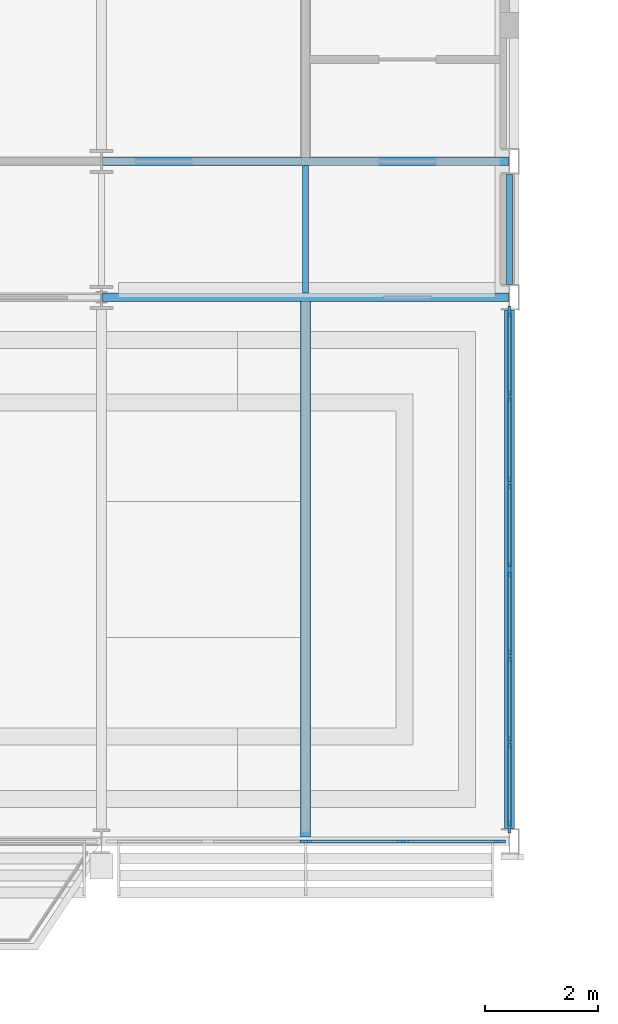
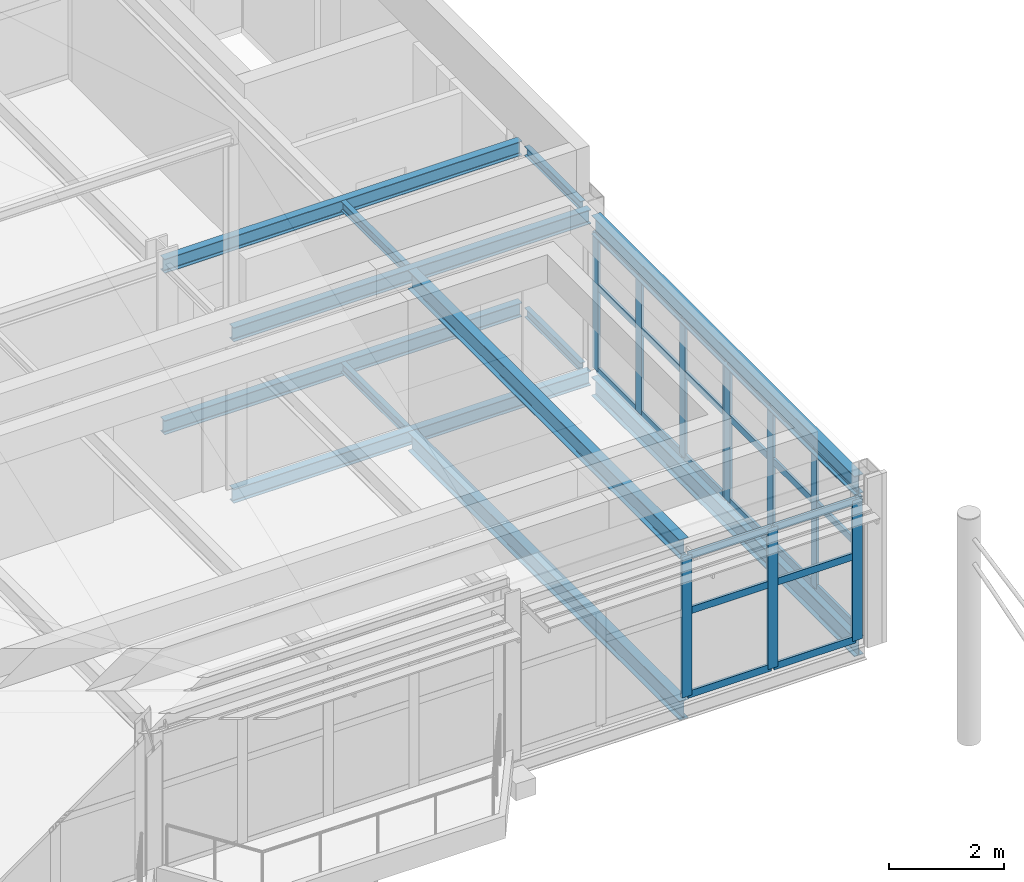
# One storey, part 35 of 68: 35 members, 12 beams, 3 elements without a shape of their own.
"""IFC4 building model written with IfcOpenShell, lengths in metres."""

from ifc_helpers import new_model, si_unit, direction, frame, origin, origin_2d, place, context, subcontext, project, spatial, rectangle, i_section, extrude, material, material_profile, profile_set, type_object, element, aggregate, save


model = new_model("IFC4")

# Units and contexts
model_context = context("Model", 3, precision=1e-05, world=origin(), true_north=direction((0.0, 1.0)))
body_context = subcontext(model_context, "Body", "Model", "MODEL_VIEW")
ifc_project = project(units=[si_unit("LENGTHUNIT", "METRE"), si_unit("AREAUNIT", "SQUARE_METRE"), si_unit("VOLUMEUNIT", "CUBIC_METRE"), si_unit("PLANEANGLEUNIT", "RADIAN"), si_unit("MASSUNIT", "GRAM", prefix="KILO")], contexts=[model_context])

# Site, building, storey
site_placement = place(None, origin())
site = spatial("IfcSite", under=ifc_project, at=site_placement, CompositionType="ELEMENT")
building_placement = place(site_placement, origin())
building = spatial("IfcBuilding", under=site, at=building_placement, Name="Kupolbacken Congress Centre", CompositionType="ELEMENT")
storey_placement = place(building_placement, frame((0.0, 0.0, 25.199951171875)))
storey = spatial("IfcBuildingStorey", under=building, at=storey_placement, Name="L07", CompositionType="ELEMENT", Elevation=25.199951171875)

# Beams
ifc_material_1 = material(Name="Steel S355", Category="steel")
ifc_material_profile_1 = material_profile(ifc_material_1, i_section(OverallWidth=0.10009765625, OverallDepth=0.199951171875, WebThickness=0.005615234375, FlangeThickness=0.008544921875, FilletRadius=0.011962890625, at=origin_2d()), Name="IPE 200")
ifc_profile_set_1 = profile_set([ifc_material_profile_1], Name="Steel S355")
beam_type_1 = type_object("IfcBeamType", Name="B01 beam IPE 200", PredefinedType="BEAM", material=ifc_profile_set_1)
beam_1_placement = place(storey_placement, frame((133.199951171875, 132.074951171875, -0.239990234375), z_axis=(0.0, 1.0, 0.0), x_axis=(-1.0, 0.0, 0.0)))
element("IfcBeam", 1, at=beam_1_placement, inside=storey, type_object=beam_type_1, Name="S/floor/T/L07/S076", PredefinedType="BEAM", context=body_context, shape_type="SweptSolid", body=[
    extrude(i_section(OverallWidth=0.10009765625, OverallDepth=0.199951171875, WebThickness=0.005615234375, FlangeThickness=0.008544921875, FilletRadius=0.011962890625, at=origin_2d()), origin(), (0.0, 0.0, 1.0), 2.25),
])
beam_2_placement = place(storey_placement, frame((136.800048828125, 132.22509765625, -0.239990234375), z_axis=(0.0, 1.0, 0.0), x_axis=(-1.0, 0.0, 0.0)))
element("IfcBeam", 2, at=beam_2_placement, inside=storey, type_object=beam_type_1, Name="S/floor/T/L07/S079", PredefinedType="BEAM", context=body_context, shape_type="SweptSolid", body=[
    extrude(i_section(OverallWidth=0.10009765625, OverallDepth=0.199951171875, WebThickness=0.005615234375, FlangeThickness=0.008544921875, FilletRadius=0.011962890625, at=origin_2d()), origin(), (0.0, 0.0, 1.0), 1.949951171875),
])
beam_3_placement = place(storey_placement, frame((133.199951171875, 132.074951171875, 3.18994140625), z_axis=(0.0, 1.0, 0.0), x_axis=(-1.0, 0.0, 0.0)))
element("IfcBeam", 3, at=beam_3_placement, inside=storey, type_object=beam_type_1, Name="S/floor/T/ROOF/S076", PredefinedType="BEAM", context=body_context, shape_type="SweptSolid", body=[
    extrude(i_section(OverallWidth=0.10009765625, OverallDepth=0.199951171875, WebThickness=0.005615234375, FlangeThickness=0.008544921875, FilletRadius=0.011962890625, at=origin_2d()), origin(), (0.0, 0.0, 1.0), 2.25),
])
beam_4_placement = place(storey_placement, frame((136.800048828125, 132.22509765625, 3.18994140625), z_axis=(0.0, 1.0, 0.0), x_axis=(-1.0, 0.0, 0.0)))
element("IfcBeam", 4, at=beam_4_placement, inside=storey, type_object=beam_type_1, Name="S/floor/T/ROOF/S079", PredefinedType="BEAM", context=body_context, shape_type="SweptSolid", body=[
    extrude(i_section(OverallWidth=0.10009765625, OverallDepth=0.199951171875, WebThickness=0.005615234375, FlangeThickness=0.008544921875, FilletRadius=0.011962890625, at=origin_2d()), origin(), (0.0, 0.0, 1.0), 1.949951171875),
])
ifc_material_2 = material(Name="Steel S355", Category="steel")
ifc_material_profile_2 = material_profile(ifc_material_2, i_section(OverallWidth=0.14990234375, OverallDepth=0.300048828125, WebThickness=0.007080078125, FlangeThickness=0.0107421875, FilletRadius=0.014892578125, at=origin_2d()), Name="IPE 300")
ifc_profile_set_2 = profile_set([ifc_material_profile_2], Name="Steel S355")
beam_type_2 = type_object("IfcBeamType", Name="B04 beam IPE 300", PredefinedType="BEAM", material=ifc_profile_set_2)
for number, where, z_axis, x_axis, name in (
    (5, (129.616455078125, 132.0, -0.2900390625), (1.0, 0.0, 0.0), (0.0, 1.0, 0.0), "S/floor/T/L07/R016"),
    (6, (129.616455078125, 134.39990234375, -0.2900390625), (1.0, 0.0, 0.0), (0.0, 1.0, 0.0), "S/floor/T/L07/R024"),
    (7, (129.616455078125, 132.0, 3.14013671875), (1.0, 0.0, 0.0), (0.0, 1.0, 0.0), "S/floor/T/ROOF/R016"),
    (8, (129.616455078125, 134.39990234375, 3.14013671875), (1.0, 0.0, 0.0), (0.0, 1.0, 0.0), "S/floor/T/ROOF/R024"),
):
    element("IfcBeam", number, at=place(storey_placement, frame(where, z_axis=z_axis, x_axis=x_axis)), inside=storey, type_object=beam_type_2, Name=name, PredefinedType="BEAM", context=body_context, shape_type="SweptSolid", body=[
        extrude(i_section(OverallWidth=0.14990234375, OverallDepth=0.300048828125, WebThickness=0.007080078125, FlangeThickness=0.0107421875, FilletRadius=0.014892578125, at=origin_2d()), origin(), (0.0, 0.0, 1.0), 7.176513671875),
    ])
ifc_material_3 = material(Name="Steel S355", Category="steel")
ifc_material_profile_3 = material_profile(ifc_material_3, i_section(OverallWidth=0.179931640625, OverallDepth=0.39990234375, WebThickness=0.008544921875, FlangeThickness=0.013427734375, FilletRadius=0.02099609375, at=origin_2d()), Name="IPE 400")
ifc_profile_set_3 = profile_set([ifc_material_profile_3], Name="Steel S355")
beam_type_3 = type_object("IfcBeamType", Name="B07 beam IPE 400", PredefinedType="BEAM", material=ifc_profile_set_3)
beam_5_placement = place(storey_placement, frame((133.199951171875, 122.47509765625, -0.33984375), z_axis=(0.0, 1.0, 0.0), x_axis=(-1.0, 0.0, 0.0)))
element("IfcBeam", 9, at=beam_5_placement, inside=storey, type_object=beam_type_3, Name="S/floor/T/L07/S075", PredefinedType="BEAM", context=body_context, shape_type="SweptSolid", body=[
    extrude(i_section(OverallWidth=0.179931640625, OverallDepth=0.39990234375, WebThickness=0.008544921875, FlangeThickness=0.013427734375, FilletRadius=0.02099609375, at=origin_2d()), origin(), (0.0, 0.0, 1.0), 9.449951171875),
])
beam_6_placement = place(storey_placement, frame((136.800048828125, 122.625, -0.33984375), z_axis=(0.0, 1.0, 0.0), x_axis=(-1.0, 0.0, 0.0)))
element("IfcBeam", 10, at=beam_6_placement, inside=storey, type_object=beam_type_3, Name="S/floor/T/L07/S078", PredefinedType="BEAM", context=body_context, shape_type="SweptSolid", body=[
    extrude(i_section(OverallWidth=0.179931640625, OverallDepth=0.39990234375, WebThickness=0.008544921875, FlangeThickness=0.013427734375, FilletRadius=0.02099609375, at=origin_2d()), origin(), (0.0, 0.0, 1.0), 9.14990234375),
])
beam_7_placement = place(storey_placement, frame((133.199951171875, 122.47509765625, 3.090087890625), z_axis=(0.0, 1.0, 0.0), x_axis=(-1.0, 0.0, 0.0)))
element("IfcBeam", 11, at=beam_7_placement, inside=storey, type_object=beam_type_3, Name="S/floor/T/ROOF/S075", PredefinedType="BEAM", context=body_context, shape_type="SweptSolid", body=[
    extrude(i_section(OverallWidth=0.179931640625, OverallDepth=0.39990234375, WebThickness=0.008544921875, FlangeThickness=0.013427734375, FilletRadius=0.02099609375, at=origin_2d()), origin(), (0.0, 0.0, 1.0), 9.449951171875),
])
beam_8_placement = place(storey_placement, frame((136.800048828125, 122.625, 3.090087890625), z_axis=(0.0, 1.0, 0.0), x_axis=(-1.0, 0.0, 0.0)))
element("IfcBeam", 12, at=beam_8_placement, inside=storey, type_object=beam_type_3, Name="S/floor/T/ROOF/S078", PredefinedType="BEAM", context=body_context, shape_type="SweptSolid", body=[
    extrude(i_section(OverallWidth=0.179931640625, OverallDepth=0.39990234375, WebThickness=0.008544921875, FlangeThickness=0.013427734375, FilletRadius=0.02099609375, at=origin_2d()), origin(), (0.0, 0.0, 1.0), 9.14990234375),
])

# Curtain wall, members
ifc_material_4 = material(Name="Aluminium mullion-transom frame with glass", Category="aluminium")
curtain_wall_type = type_object("IfcCurtainWallType", Name="CW1 curtain wall 7200x3600", PredefinedType="NOTDEFINED", material=ifc_material_4)
curtain_wall_1_placement = place(storey_placement, origin())
curtain_wall_1 = element("IfcCurtainWall", 13, at=curtain_wall_1_placement, inside=storey, type_object=curtain_wall_type, Name="E/T/E/L07/099/g0", PredefinedType="NOTDEFINED")
ifc_material_5 = material(Name="Aluminium alloy", Category="aluminium")
ifc_material_profile_4 = material_profile(ifc_material_5, rectangle(XDim=0.050048828125, YDim=0.199951171875, at=origin_2d()), Name="50 x 200")
ifc_profile_set_4 = profile_set([ifc_material_profile_4], Name="Aluminium alloy")
member_type_1 = type_object("IfcMemberType", Name="MU2 mullion 50x200", PredefinedType="MULLION", material=ifc_profile_set_4)
member_1_placement = place(storey_placement, frame((136.800048828125, 122.64990234375, 0.0), z_axis=(0.0, 0.0, 1.0), x_axis=(-1.0, 0.0, 0.0)))
member_1 = element("IfcMember", 14, at=member_1_placement, type_object=member_type_1, Name="CW1 mullion 1", PredefinedType="MULLION", context=body_context, shape_type="SweptSolid", body=[
    extrude(rectangle(XDim=0.050048828125, YDim=0.199951171875, at=origin_2d()), origin(), (0.0, 0.0, 1.0), 2.89013671875),
])
member_2_placement = place(storey_placement, frame((136.800048828125, 124.14990234375, 0.0), z_axis=(0.0, 0.0, 1.0), x_axis=(-1.0, 0.0, 0.0)))
member_2 = element("IfcMember", 15, at=member_2_placement, type_object=member_type_1, Name="CW1 mullion 2", PredefinedType="MULLION", context=body_context, shape_type="SweptSolid", body=[
    extrude(rectangle(XDim=0.050048828125, YDim=0.199951171875, at=origin_2d()), origin(), (0.0, 0.0, 1.0), 2.89013671875),
])
member_3_placement = place(storey_placement, frame((136.800048828125, 125.675048828125, 0.0), z_axis=(0.0, 0.0, 1.0), x_axis=(-1.0, 0.0, 0.0)))
member_3 = element("IfcMember", 16, at=member_3_placement, type_object=member_type_1, Name="CW1 mullion 3", PredefinedType="MULLION", context=body_context, shape_type="SweptSolid", body=[
    extrude(rectangle(XDim=0.050048828125, YDim=0.199951171875, at=origin_2d()), origin(), (0.0, 0.0, 1.0), 2.89013671875),
])
member_4_placement = place(storey_placement, frame((136.800048828125, 127.175048828125, 0.0), z_axis=(0.0, 0.0, 1.0), x_axis=(-1.0, 0.0, 0.0)))
member_4 = element("IfcMember", 17, at=member_4_placement, type_object=member_type_1, Name="CW1 mullion 4", PredefinedType="MULLION", context=body_context, shape_type="SweptSolid", body=[
    extrude(rectangle(XDim=0.050048828125, YDim=0.199951171875, at=origin_2d()), origin(), (0.0, 0.0, 1.0), 2.89013671875),
])

curtain_wall_2_placement = place(storey_placement, origin())
curtain_wall_2 = element("IfcCurtainWall", 18, at=curtain_wall_2_placement, inside=storey, type_object=curtain_wall_type, Name="E/T/E/L07/099/g1", PredefinedType="NOTDEFINED")
member_5_placement = place(storey_placement, frame((136.800048828125, 127.22509765625, 0.0), z_axis=(0.0, 0.0, 1.0), x_axis=(-1.0, 0.0, 0.0)))
member_5 = element("IfcMember", 19, at=member_5_placement, type_object=member_type_1, Name="CW1 mullion 1", PredefinedType="MULLION", context=body_context, shape_type="SweptSolid", body=[
    extrude(rectangle(XDim=0.050048828125, YDim=0.199951171875, at=origin_2d()), origin(), (0.0, 0.0, 1.0), 2.89013671875),
])
member_6_placement = place(storey_placement, frame((136.800048828125, 128.72509765625, 0.0), z_axis=(0.0, 0.0, 1.0), x_axis=(-1.0, 0.0, 0.0)))
member_6 = element("IfcMember", 20, at=member_6_placement, type_object=member_type_1, Name="CW1 mullion 2", PredefinedType="MULLION", context=body_context, shape_type="SweptSolid", body=[
    extrude(rectangle(XDim=0.050048828125, YDim=0.199951171875, at=origin_2d()), origin(), (0.0, 0.0, 1.0), 2.89013671875),
])
member_7_placement = place(storey_placement, frame((136.800048828125, 130.25, 0.0), z_axis=(0.0, 0.0, 1.0), x_axis=(-1.0, 0.0, 0.0)))
member_7 = element("IfcMember", 21, at=member_7_placement, type_object=member_type_1, Name="CW1 mullion 3", PredefinedType="MULLION", context=body_context, shape_type="SweptSolid", body=[
    extrude(rectangle(XDim=0.050048828125, YDim=0.199951171875, at=origin_2d()), origin(), (0.0, 0.0, 1.0), 2.89013671875),
])
member_8_placement = place(storey_placement, frame((136.800048828125, 131.75, 0.0), z_axis=(0.0, 0.0, 1.0), x_axis=(-1.0, 0.0, 0.0)))
member_8 = element("IfcMember", 22, at=member_8_placement, type_object=member_type_1, Name="CW1 mullion 4", PredefinedType="MULLION", context=body_context, shape_type="SweptSolid", body=[
    extrude(rectangle(XDim=0.050048828125, YDim=0.199951171875, at=origin_2d()), origin(), (0.0, 0.0, 1.0), 2.89013671875),
])

curtain_wall_3_placement = place(storey_placement, origin())
curtain_wall_3 = element("IfcCurtainWall", 23, at=curtain_wall_3_placement, inside=storey, type_object=curtain_wall_type, Name="E/T/S/L07/120/g0", PredefinedType="NOTDEFINED")
member_9_placement = place(storey_placement, frame((133.20166015625, 122.39990234375, 0.0), z_axis=(0.0, 0.0, 1.0), x_axis=(0.0, 1.0, 0.0)))
member_9 = element("IfcMember", 24, at=member_9_placement, type_object=member_type_1, Name="CW1 mullion 3", PredefinedType="MULLION", context=body_context, shape_type="SweptSolid", body=[
    extrude(rectangle(XDim=0.050048828125, YDim=0.199951171875, at=origin_2d()), origin(), (0.0, 0.0, 1.0), 2.989990234375),
])
member_10_placement = place(storey_placement, frame((134.92578125, 122.39990234375, 0.0), z_axis=(0.0, 0.0, 1.0), x_axis=(0.0, 1.0, 0.0)))
member_10 = element("IfcMember", 25, at=member_10_placement, type_object=member_type_1, Name="CW1 mullion 4", PredefinedType="MULLION", context=body_context, shape_type="SweptSolid", body=[
    extrude(rectangle(XDim=0.050048828125, YDim=0.199951171875, at=origin_2d()), origin(), (0.0, 0.0, 1.0), 2.989990234375),
])
member_11_placement = place(storey_placement, frame((136.625, 122.39990234375, 0.0), z_axis=(0.0, 0.0, 1.0), x_axis=(0.0, 1.0, 0.0)))
member_11 = element("IfcMember", 26, at=member_11_placement, type_object=member_type_1, Name="CW1 mullion 5", PredefinedType="MULLION", context=body_context, shape_type="SweptSolid", body=[
    extrude(rectangle(XDim=0.050048828125, YDim=0.199951171875, at=origin_2d()), origin(), (0.0, 0.0, 1.0), 2.989990234375),
])

# Member
ifc_material_6 = material(Name="Aluminium alloy", Category="aluminium")
ifc_material_profile_5 = material_profile(ifc_material_6, rectangle(XDim=0.050048828125, YDim=0.14990234375, at=origin_2d()), Name="50 x 150")
ifc_profile_set_5 = profile_set([ifc_material_profile_5], Name="Aluminium alloy")
member_type_2 = type_object("IfcMemberType", Name="TR2 transom 50x150", PredefinedType="MULLION", material=ifc_profile_set_5)
member_12_placement = place(storey_placement, frame((136.800048828125, 122.675048828125, 0.025146484375), z_axis=(0.0, 1.0, 0.0), x_axis=(-1.0, 0.0, 0.0)))
member_12 = element("IfcMember", 27, at=member_12_placement, type_object=member_type_2, Name="CW1 transom 1.1", PredefinedType="MULLION", context=body_context, shape_type="SweptSolid", body=[
    extrude(rectangle(XDim=0.050048828125, YDim=0.14990234375, at=origin_2d()), origin(), (0.0, 0.0, 1.0), 1.449951171875),
])

member_13_placement = place(storey_placement, frame((136.800048828125, 122.675048828125, 1.800048828125), z_axis=(0.0, 1.0, 0.0), x_axis=(-1.0, 0.0, 0.0)))
member_13 = element("IfcMember", 28, at=member_13_placement, type_object=member_type_2, Name="CW1 transom 1.2", PredefinedType="MULLION", context=body_context, shape_type="SweptSolid", body=[
    extrude(rectangle(XDim=0.050048828125, YDim=0.14990234375, at=origin_2d()), origin(), (0.0, 0.0, 1.0), 1.449951171875),
])

member_14_placement = place(storey_placement, frame((136.800048828125, 122.675048828125, 2.864990234375), z_axis=(0.0, 1.0, 0.0), x_axis=(-1.0, 0.0, 0.0)))
member_14 = element("IfcMember", 29, at=member_14_placement, type_object=member_type_2, Name="CW1 transom 1.3", PredefinedType="MULLION", context=body_context, shape_type="SweptSolid", body=[
    extrude(rectangle(XDim=0.050048828125, YDim=0.14990234375, at=origin_2d()), origin(), (0.0, 0.0, 1.0), 1.449951171875),
])

member_15_placement = place(storey_placement, frame((136.800048828125, 124.175048828125, 0.025146484375), z_axis=(0.0, 1.0, 0.0), x_axis=(-1.0, 0.0, 0.0)))
member_15 = element("IfcMember", 30, at=member_15_placement, type_object=member_type_2, Name="CW1 transom 2.1", PredefinedType="MULLION", context=body_context, shape_type="SweptSolid", body=[
    extrude(rectangle(XDim=0.050048828125, YDim=0.14990234375, at=origin_2d()), origin(), (0.0, 0.0, 1.0), 1.474853515625),
])

member_16_placement = place(storey_placement, frame((136.800048828125, 124.175048828125, 1.800048828125), z_axis=(0.0, 1.0, 0.0), x_axis=(-1.0, 0.0, 0.0)))
member_16 = element("IfcMember", 31, at=member_16_placement, type_object=member_type_2, Name="CW1 transom 2.2", PredefinedType="MULLION", context=body_context, shape_type="SweptSolid", body=[
    extrude(rectangle(XDim=0.050048828125, YDim=0.14990234375, at=origin_2d()), origin(), (0.0, 0.0, 1.0), 1.474853515625),
])

member_17_placement = place(storey_placement, frame((136.800048828125, 124.175048828125, 2.864990234375), z_axis=(0.0, 1.0, 0.0), x_axis=(-1.0, 0.0, 0.0)))
member_17 = element("IfcMember", 32, at=member_17_placement, type_object=member_type_2, Name="CW1 transom 2.3", PredefinedType="MULLION", context=body_context, shape_type="SweptSolid", body=[
    extrude(rectangle(XDim=0.050048828125, YDim=0.14990234375, at=origin_2d()), origin(), (0.0, 0.0, 1.0), 1.474853515625),
])

member_18_placement = place(storey_placement, frame((136.800048828125, 125.699951171875, 0.025146484375), z_axis=(0.0, 1.0, 0.0), x_axis=(-1.0, 0.0, 0.0)))
member_18 = element("IfcMember", 33, at=member_18_placement, type_object=member_type_2, Name="CW1 transom 3.1", PredefinedType="MULLION", context=body_context, shape_type="SweptSolid", body=[
    extrude(rectangle(XDim=0.050048828125, YDim=0.14990234375, at=origin_2d()), origin(), (0.0, 0.0, 1.0), 1.449951171875),
])

member_19_placement = place(storey_placement, frame((136.800048828125, 125.699951171875, 1.800048828125), z_axis=(0.0, 1.0, 0.0), x_axis=(-1.0, 0.0, 0.0)))
member_19 = element("IfcMember", 34, at=member_19_placement, type_object=member_type_2, Name="CW1 transom 3.2", PredefinedType="MULLION", context=body_context, shape_type="SweptSolid", body=[
    extrude(rectangle(XDim=0.050048828125, YDim=0.14990234375, at=origin_2d()), origin(), (0.0, 0.0, 1.0), 1.449951171875),
])

member_20_placement = place(storey_placement, frame((136.800048828125, 125.699951171875, 2.864990234375), z_axis=(0.0, 1.0, 0.0), x_axis=(-1.0, 0.0, 0.0)))
member_20 = element("IfcMember", 35, at=member_20_placement, type_object=member_type_2, Name="CW1 transom 3.3", PredefinedType="MULLION", context=body_context, shape_type="SweptSolid", body=[
    extrude(rectangle(XDim=0.050048828125, YDim=0.14990234375, at=origin_2d()), origin(), (0.0, 0.0, 1.0), 1.449951171875),
])

aggregate(curtain_wall_1, [member_1, member_2, member_3, member_4, member_12, member_13, member_14, member_15, member_16, member_17, member_18, member_19, member_20])

member_21_placement = place(storey_placement, frame((136.800048828125, 127.25, 0.025146484375), z_axis=(0.0, 1.0, 0.0), x_axis=(-1.0, 0.0, 0.0)))
member_21 = element("IfcMember", 36, at=member_21_placement, type_object=member_type_2, Name="CW1 transom 1.1", PredefinedType="MULLION", context=body_context, shape_type="SweptSolid", body=[
    extrude(rectangle(XDim=0.050048828125, YDim=0.14990234375, at=origin_2d()), origin(), (0.0, 0.0, 1.0), 1.449951171875),
])

member_22_placement = place(storey_placement, frame((136.800048828125, 127.25, 1.800048828125), z_axis=(0.0, 1.0, 0.0), x_axis=(-1.0, 0.0, 0.0)))
member_22 = element("IfcMember", 37, at=member_22_placement, type_object=member_type_2, Name="CW1 transom 1.2", PredefinedType="MULLION", context=body_context, shape_type="SweptSolid", body=[
    extrude(rectangle(XDim=0.050048828125, YDim=0.14990234375, at=origin_2d()), origin(), (0.0, 0.0, 1.0), 1.449951171875),
])

member_23_placement = place(storey_placement, frame((136.800048828125, 127.25, 2.864990234375), z_axis=(0.0, 1.0, 0.0), x_axis=(-1.0, 0.0, 0.0)))
member_23 = element("IfcMember", 38, at=member_23_placement, type_object=member_type_2, Name="CW1 transom 1.3", PredefinedType="MULLION", context=body_context, shape_type="SweptSolid", body=[
    extrude(rectangle(XDim=0.050048828125, YDim=0.14990234375, at=origin_2d()), origin(), (0.0, 0.0, 1.0), 1.449951171875),
])

member_24_placement = place(storey_placement, frame((136.800048828125, 128.75, 0.025146484375), z_axis=(0.0, 1.0, 0.0), x_axis=(-1.0, 0.0, 0.0)))
member_24 = element("IfcMember", 39, at=member_24_placement, type_object=member_type_2, Name="CW1 transom 2.1", PredefinedType="MULLION", context=body_context, shape_type="SweptSolid", body=[
    extrude(rectangle(XDim=0.050048828125, YDim=0.14990234375, at=origin_2d()), origin(), (0.0, 0.0, 1.0), 1.47509765625),
])

member_25_placement = place(storey_placement, frame((136.800048828125, 128.75, 1.800048828125), z_axis=(0.0, 1.0, 0.0), x_axis=(-1.0, 0.0, 0.0)))
member_25 = element("IfcMember", 40, at=member_25_placement, type_object=member_type_2, Name="CW1 transom 2.2", PredefinedType="MULLION", context=body_context, shape_type="SweptSolid", body=[
    extrude(rectangle(XDim=0.050048828125, YDim=0.14990234375, at=origin_2d()), origin(), (0.0, 0.0, 1.0), 1.47509765625),
])

member_26_placement = place(storey_placement, frame((136.800048828125, 128.75, 2.864990234375), z_axis=(0.0, 1.0, 0.0), x_axis=(-1.0, 0.0, 0.0)))
member_26 = element("IfcMember", 41, at=member_26_placement, type_object=member_type_2, Name="CW1 transom 2.3", PredefinedType="MULLION", context=body_context, shape_type="SweptSolid", body=[
    extrude(rectangle(XDim=0.050048828125, YDim=0.14990234375, at=origin_2d()), origin(), (0.0, 0.0, 1.0), 1.47509765625),
])

member_27_placement = place(storey_placement, frame((136.800048828125, 130.27490234375, 0.025146484375), z_axis=(0.0, 1.0, 0.0), x_axis=(-1.0, 0.0, 0.0)))
member_27 = element("IfcMember", 42, at=member_27_placement, type_object=member_type_2, Name="CW1 transom 3.1", PredefinedType="MULLION", context=body_context, shape_type="SweptSolid", body=[
    extrude(rectangle(XDim=0.050048828125, YDim=0.14990234375, at=origin_2d()), origin(), (0.0, 0.0, 1.0), 1.4501953125),
])

member_28_placement = place(storey_placement, frame((136.800048828125, 130.27490234375, 1.800048828125), z_axis=(0.0, 1.0, 0.0), x_axis=(-1.0, 0.0, 0.0)))
member_28 = element("IfcMember", 43, at=member_28_placement, type_object=member_type_2, Name="CW1 transom 3.2", PredefinedType="MULLION", context=body_context, shape_type="SweptSolid", body=[
    extrude(rectangle(XDim=0.050048828125, YDim=0.14990234375, at=origin_2d()), origin(), (0.0, 0.0, 1.0), 1.4501953125),
])

member_29_placement = place(storey_placement, frame((136.800048828125, 130.27490234375, 2.864990234375), z_axis=(0.0, 1.0, 0.0), x_axis=(-1.0, 0.0, 0.0)))
member_29 = element("IfcMember", 44, at=member_29_placement, type_object=member_type_2, Name="CW1 transom 3.3", PredefinedType="MULLION", context=body_context, shape_type="SweptSolid", body=[
    extrude(rectangle(XDim=0.050048828125, YDim=0.14990234375, at=origin_2d()), origin(), (0.0, 0.0, 1.0), 1.4501953125),
])

aggregate(curtain_wall_2, [member_5, member_6, member_7, member_8, member_21, member_22, member_23, member_24, member_25, member_26, member_27, member_28, member_29])

member_30_placement = place(storey_placement, frame((133.226806640625, 122.39990234375, 0.025146484375), z_axis=(1.0, 0.0, 0.0), x_axis=(0.0, 1.0, 0.0)))
member_30 = element("IfcMember", 45, at=member_30_placement, type_object=member_type_2, Name="CW1 transom 3.1", PredefinedType="MULLION", context=body_context, shape_type="SweptSolid", body=[
    extrude(rectangle(XDim=0.050048828125, YDim=0.14990234375, at=origin_2d()), origin(), (0.0, 0.0, 1.0), 1.674072265625),
])

member_31_placement = place(storey_placement, frame((133.226806640625, 122.39990234375, 1.800048828125), z_axis=(1.0, 0.0, 0.0), x_axis=(0.0, 1.0, 0.0)))
member_31 = element("IfcMember", 46, at=member_31_placement, type_object=member_type_2, Name="CW1 transom 3.2", PredefinedType="MULLION", context=body_context, shape_type="SweptSolid", body=[
    extrude(rectangle(XDim=0.050048828125, YDim=0.14990234375, at=origin_2d()), origin(), (0.0, 0.0, 1.0), 1.674072265625),
])

member_32_placement = place(storey_placement, frame((133.226806640625, 122.39990234375, 2.965087890625), z_axis=(1.0, 0.0, 0.0), x_axis=(0.0, 1.0, 0.0)))
member_32 = element("IfcMember", 47, at=member_32_placement, type_object=member_type_2, Name="CW1 transom 3.3", PredefinedType="MULLION", context=body_context, shape_type="SweptSolid", body=[
    extrude(rectangle(XDim=0.050048828125, YDim=0.14990234375, at=origin_2d()), origin(), (0.0, 0.0, 1.0), 1.674072265625),
])

member_33_placement = place(storey_placement, frame((134.950927734375, 122.39990234375, 0.025146484375), z_axis=(1.0, 0.0, 0.0), x_axis=(0.0, 1.0, 0.0)))
member_33 = element("IfcMember", 48, at=member_33_placement, type_object=member_type_2, Name="CW1 transom 4.1", PredefinedType="MULLION", context=body_context, shape_type="SweptSolid", body=[
    extrude(rectangle(XDim=0.050048828125, YDim=0.14990234375, at=origin_2d()), origin(), (0.0, 0.0, 1.0), 1.649169921875),
])

member_34_placement = place(storey_placement, frame((134.950927734375, 122.39990234375, 1.800048828125), z_axis=(1.0, 0.0, 0.0), x_axis=(0.0, 1.0, 0.0)))
member_34 = element("IfcMember", 49, at=member_34_placement, type_object=member_type_2, Name="CW1 transom 4.2", PredefinedType="MULLION", context=body_context, shape_type="SweptSolid", body=[
    extrude(rectangle(XDim=0.050048828125, YDim=0.14990234375, at=origin_2d()), origin(), (0.0, 0.0, 1.0), 1.649169921875),
])

member_35_placement = place(storey_placement, frame((134.950927734375, 122.39990234375, 2.965087890625), z_axis=(1.0, 0.0, 0.0), x_axis=(0.0, 1.0, 0.0)))
member_35 = element("IfcMember", 50, at=member_35_placement, type_object=member_type_2, Name="CW1 transom 4.3", PredefinedType="MULLION", context=body_context, shape_type="SweptSolid", body=[
    extrude(rectangle(XDim=0.050048828125, YDim=0.14990234375, at=origin_2d()), origin(), (0.0, 0.0, 1.0), 1.649169921875),
])

aggregate(curtain_wall_3, [member_9, member_10, member_11, member_30, member_31, member_32, member_33, member_34, member_35])

save(model, "model.ifc")
